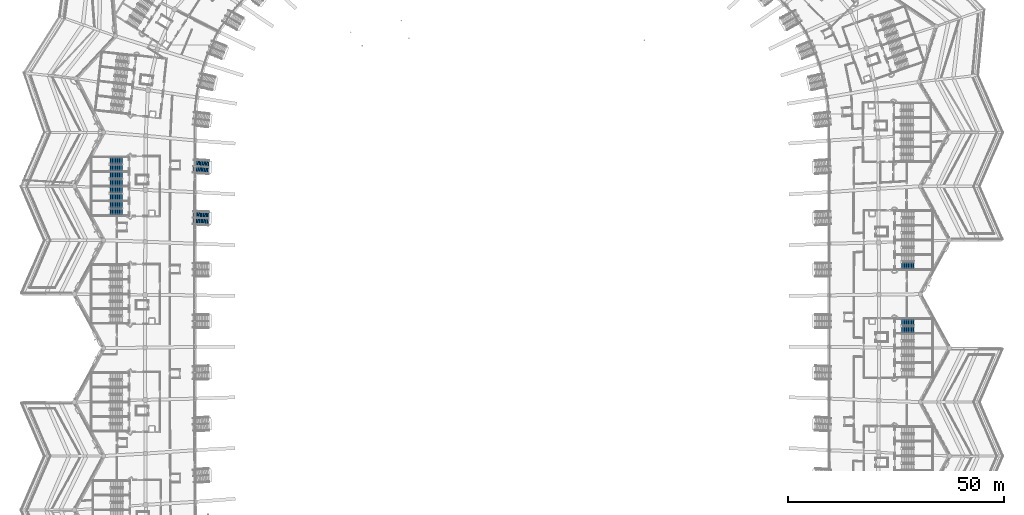
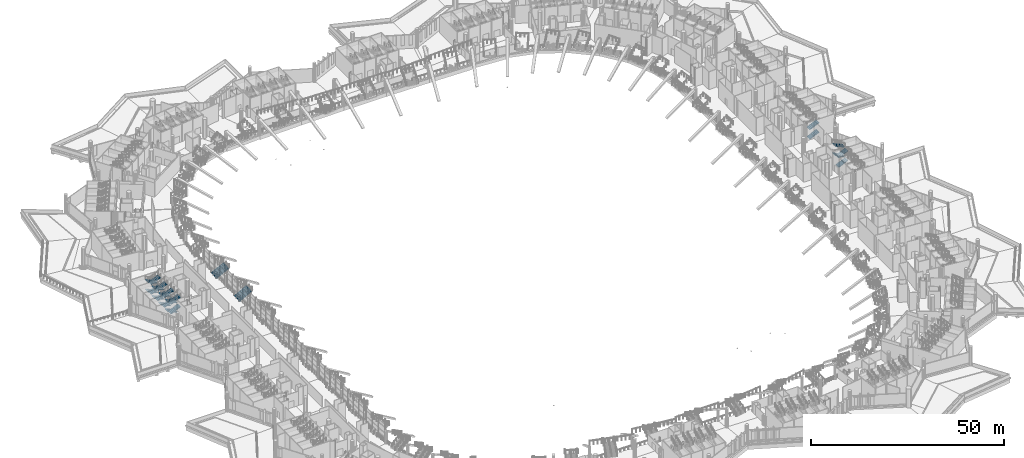
# One storey, part 92 of 173: 26 stair flights, 8 elements without a shape of their own.
"""IFC4 building model written with IfcOpenShell, lengths in metres."""

from ifc_helpers import new_model, si_unit, direction, frame, origin, place, context, subcontext, project, spatial, polyline, outline, extrude, material, type_object, element, aggregate, save


model = new_model("IFC4")

# Units and contexts
model_context = context("Model", 3, precision=1e-05, world=origin(), true_north=direction((0.0, 1.0)))
body_context = subcontext(model_context, "Body", "Model", "MODEL_VIEW")
ifc_project = project(units=[si_unit("LENGTHUNIT", "METRE"), si_unit("AREAUNIT", "SQUARE_METRE"), si_unit("VOLUMEUNIT", "CUBIC_METRE"), si_unit("PLANEANGLEUNIT", "RADIAN"), si_unit("MASSUNIT", "GRAM", prefix="KILO")], contexts=[model_context])

# Site, building, storey
site_placement = place(None, origin())
site = spatial("IfcSite", under=ifc_project, at=site_placement, CompositionType="ELEMENT")
building_placement = place(site_placement, origin())
building = spatial("IfcBuilding", under=site, at=building_placement, Name="Meseta Stadium", CompositionType="ELEMENT")
storey_placement = place(building_placement, frame((0.0, 0.0, 18.0)))
storey = spatial("IfcBuildingStorey", under=building, at=storey_placement, Name="L03", CompositionType="ELEMENT", Elevation=18.0)

# Stair, stair flights
ifc_material_1 = material(Name="Concrete C40/50", Category="concrete")
stair_type_1 = type_object("IfcStairType", Name="Exit stair 4 flights 150 mm risers", PredefinedType="HALF_TURN_STAIR", material=ifc_material_1)
stair_1_placement = place(storey_placement, origin())
stair_1 = element("IfcStair", 1, at=stair_1_placement, inside=storey, type_object=stair_type_1, Name="ST12 L03", PredefinedType="HALF_TURN_STAIR")
ifc_material_2 = material(Name="Concrete C40/50", Category="concrete")
stair_flight_type_1 = type_object("IfcStairFlightType", Name="Exit stair flight 150 mm risers, 4 per storey", PredefinedType="STRAIGHT", material=ifc_material_2)
stair_flight_1_placement = place(storey_placement, frame((90.300048828125, -2.0, 0.0), z_axis=(0.0, 0.0, 1.0), x_axis=(1.0, 0.0, 0.0)))
stair_flight_1 = element("IfcStairFlight", 2, at=stair_flight_1_placement, type_object=stair_flight_type_1, Name="ST12 L03 flight 1", NumberOfRisers=10, NumberOfTreads=9, PredefinedType="STRAIGHT", RiserHeight=0.15, TreadLength=0.32, context=body_context, shape_type="SweptSolid", body=[
    extrude(outline(polyline([(0.0, 0.0), (0.0, 0.14990234375), (0.320068359375, 0.14990234375), (0.320068359375, 0.300048828125), (0.639892578125, 0.300048828125), (0.639892578125, 0.449951171875), (0.9599609375, 0.449951171875), (0.9599609375, 0.60009765625), (1.280029296875, 0.60009765625), (1.280029296875, 0.75), (1.60009765625, 0.75), (1.60009765625, 0.89990234375), (1.919921875, 0.89990234375), (1.919921875, 1.050048828125), (2.239990234375, 1.050048828125), (2.239990234375, 1.199951171875), (2.56005859375, 1.199951171875), (2.56005859375, 1.35009765625), (2.8798828125, 1.35009765625), (2.8798828125, 1.184326171875), (0.353271484375, 0.0), (0.0, 0.0)])), frame((0.0, 0.75, 0.0), z_axis=(0.0, -1.0, 0.0), x_axis=(1.0, 0.0, 0.0)), (0.0, 0.0, 1.0), 1.5),
])
stair_flight_2_placement = place(storey_placement, frame((93.179931640625, -0.300048828125, 1.5), z_axis=(0.0, 0.0, 1.0), x_axis=(-1.0, 0.0, 0.0)))
stair_flight_2 = element("IfcStairFlight", 3, at=stair_flight_2_placement, type_object=stair_flight_type_1, Name="ST12 L03 flight 2", NumberOfRisers=10, NumberOfTreads=9, PredefinedType="STRAIGHT", RiserHeight=0.15, TreadLength=0.32, context=body_context, shape_type="SweptSolid", body=[
    extrude(outline(polyline([(0.0, 0.0), (0.0, 0.14990234375), (0.320068359375, 0.14990234375), (0.320068359375, 0.300048828125), (0.639892578125, 0.300048828125), (0.639892578125, 0.449951171875), (0.9599609375, 0.449951171875), (0.9599609375, 0.60009765625), (1.280029296875, 0.60009765625), (1.280029296875, 0.75), (1.60009765625, 0.75), (1.60009765625, 0.89990234375), (1.919921875, 0.89990234375), (1.919921875, 1.050048828125), (2.239990234375, 1.050048828125), (2.239990234375, 1.199951171875), (2.56005859375, 1.199951171875), (2.56005859375, 1.35009765625), (2.8798828125, 1.35009765625), (2.8798828125, 1.184326171875), (0.353271484375, 0.0), (0.0, 0.0)])), frame((0.0, 0.75, 0.0), z_axis=(0.0, -1.0, 0.0), x_axis=(1.0, 0.0, 0.0)), (0.0, 0.0, 1.0), 1.5),
])
stair_flight_3_placement = place(storey_placement, frame((90.300048828125, -2.0, 3.0), z_axis=(0.0, 0.0, 1.0), x_axis=(1.0, 0.0, 0.0)))
stair_flight_3 = element("IfcStairFlight", 4, at=stair_flight_3_placement, type_object=stair_flight_type_1, Name="ST12 L03 flight 3", NumberOfRisers=10, NumberOfTreads=9, PredefinedType="STRAIGHT", RiserHeight=0.15, TreadLength=0.32, context=body_context, shape_type="SweptSolid", body=[
    extrude(outline(polyline([(0.0, 0.0), (0.0, 0.14990234375), (0.320068359375, 0.14990234375), (0.320068359375, 0.300048828125), (0.639892578125, 0.300048828125), (0.639892578125, 0.449951171875), (0.9599609375, 0.449951171875), (0.9599609375, 0.60009765625), (1.280029296875, 0.60009765625), (1.280029296875, 0.75), (1.60009765625, 0.75), (1.60009765625, 0.89990234375), (1.919921875, 0.89990234375), (1.919921875, 1.050048828125), (2.239990234375, 1.050048828125), (2.239990234375, 1.199951171875), (2.56005859375, 1.199951171875), (2.56005859375, 1.35009765625), (2.8798828125, 1.35009765625), (2.8798828125, 1.184326171875), (0.353271484375, 0.0), (0.0, 0.0)])), frame((0.0, 0.75, 0.0), z_axis=(0.0, -1.0, 0.0), x_axis=(1.0, 0.0, 0.0)), (0.0, 0.0, 1.0), 1.5),
])
stair_flight_4_placement = place(storey_placement, frame((93.179931640625, -0.300048828125, 4.5), z_axis=(0.0, 0.0, 1.0), x_axis=(-1.0, 0.0, 0.0)))
stair_flight_4 = element("IfcStairFlight", 5, at=stair_flight_4_placement, type_object=stair_flight_type_1, Name="ST12 L03 flight 4", NumberOfRisers=10, NumberOfTreads=9, PredefinedType="STRAIGHT", RiserHeight=0.15, TreadLength=0.32, context=body_context, shape_type="SweptSolid", body=[
    extrude(outline(polyline([(0.0, 0.0), (0.0, 0.14990234375), (0.320068359375, 0.14990234375), (0.320068359375, 0.300048828125), (0.639892578125, 0.300048828125), (0.639892578125, 0.449951171875), (0.9599609375, 0.449951171875), (0.9599609375, 0.60009765625), (1.280029296875, 0.60009765625), (1.280029296875, 0.75), (1.60009765625, 0.75), (1.60009765625, 0.89990234375), (1.919921875, 0.89990234375), (1.919921875, 1.050048828125), (2.239990234375, 1.050048828125), (2.239990234375, 1.199951171875), (2.56005859375, 1.199951171875), (2.56005859375, 1.35009765625), (2.8798828125, 1.35009765625), (2.8798828125, 1.184326171875), (0.353271484375, 0.0), (0.0, 0.0)])), frame((0.0, 0.75, 0.0), z_axis=(0.0, -1.0, 0.0), x_axis=(1.0, 0.0, 0.0)), (0.0, 0.0, 1.0), 1.5),
])
aggregate(stair_1, [stair_flight_1, stair_flight_2, stair_flight_3, stair_flight_4])

stair_2_placement = place(storey_placement, origin())
stair_2 = element("IfcStair", 6, at=stair_2_placement, inside=storey, type_object=stair_type_1, Name="ST13 L03", PredefinedType="HALF_TURN_STAIR")
stair_flight_5_placement = place(storey_placement, frame((90.300048828125, 12.800048828125, 0.0), z_axis=(0.0, 0.0, 1.0), x_axis=(1.0, 0.0, 0.0)))
stair_flight_5 = element("IfcStairFlight", 7, at=stair_flight_5_placement, type_object=stair_flight_type_1, Name="ST13 L03 flight 1", NumberOfRisers=10, NumberOfTreads=9, PredefinedType="STRAIGHT", RiserHeight=0.15, TreadLength=0.32, context=body_context, shape_type="SweptSolid", body=[
    extrude(outline(polyline([(0.0, 0.0), (0.0, 0.14990234375), (0.320068359375, 0.14990234375), (0.320068359375, 0.300048828125), (0.639892578125, 0.300048828125), (0.639892578125, 0.449951171875), (0.9599609375, 0.449951171875), (0.9599609375, 0.60009765625), (1.280029296875, 0.60009765625), (1.280029296875, 0.75), (1.60009765625, 0.75), (1.60009765625, 0.89990234375), (1.919921875, 0.89990234375), (1.919921875, 1.050048828125), (2.239990234375, 1.050048828125), (2.239990234375, 1.199951171875), (2.56005859375, 1.199951171875), (2.56005859375, 1.35009765625), (2.8798828125, 1.35009765625), (2.8798828125, 1.184326171875), (0.353271484375, 0.0), (0.0, 0.0)])), frame((0.0, 0.75, 0.0), z_axis=(0.0, -1.0, 0.0), x_axis=(1.0, 0.0, 0.0)), (0.0, 0.0, 1.0), 1.5),
])
stair_flight_6_placement = place(storey_placement, frame((90.300048828125, 12.800048828125, 3.0), z_axis=(0.0, 0.0, 1.0), x_axis=(1.0, 0.0, 0.0)))
stair_flight_6 = element("IfcStairFlight", 8, at=stair_flight_6_placement, type_object=stair_flight_type_1, Name="ST13 L03 flight 3", NumberOfRisers=10, NumberOfTreads=9, PredefinedType="STRAIGHT", RiserHeight=0.15, TreadLength=0.32, context=body_context, shape_type="SweptSolid", body=[
    extrude(outline(polyline([(0.0, 0.0), (0.0, 0.14990234375), (0.320068359375, 0.14990234375), (0.320068359375, 0.300048828125), (0.639892578125, 0.300048828125), (0.639892578125, 0.449951171875), (0.9599609375, 0.449951171875), (0.9599609375, 0.60009765625), (1.280029296875, 0.60009765625), (1.280029296875, 0.75), (1.60009765625, 0.75), (1.60009765625, 0.89990234375), (1.919921875, 0.89990234375), (1.919921875, 1.050048828125), (2.239990234375, 1.050048828125), (2.239990234375, 1.199951171875), (2.56005859375, 1.199951171875), (2.56005859375, 1.35009765625), (2.8798828125, 1.35009765625), (2.8798828125, 1.184326171875), (0.353271484375, 0.0), (0.0, 0.0)])), frame((0.0, 0.75, 0.0), z_axis=(0.0, -1.0, 0.0), x_axis=(1.0, 0.0, 0.0)), (0.0, 0.0, 1.0), 1.5),
])
aggregate(stair_2, [stair_flight_5, stair_flight_6])

stair_3_placement = place(storey_placement, origin())
stair_3 = element("IfcStair", 9, at=stair_3_placement, inside=storey, type_object=stair_type_1, Name="ST61 L03", PredefinedType="HALF_TURN_STAIR")
stair_flight_7_placement = place(storey_placement, frame((-90.300048828125, 37.199951171875, 0.0), z_axis=(0.0, 0.0, 1.0), x_axis=(-1.0, 0.0, 0.0)))
stair_flight_7 = element("IfcStairFlight", 10, at=stair_flight_7_placement, type_object=stair_flight_type_1, Name="ST61 L03 flight 1", NumberOfRisers=10, NumberOfTreads=9, PredefinedType="STRAIGHT", RiserHeight=0.15, TreadLength=0.32, context=body_context, shape_type="SweptSolid", body=[
    extrude(outline(polyline([(0.0, 0.0), (0.0, 0.14990234375), (0.320068359375, 0.14990234375), (0.320068359375, 0.300048828125), (0.639892578125, 0.300048828125), (0.639892578125, 0.449951171875), (0.9599609375, 0.449951171875), (0.9599609375, 0.60009765625), (1.280029296875, 0.60009765625), (1.280029296875, 0.75), (1.60009765625, 0.75), (1.60009765625, 0.89990234375), (1.919921875, 0.89990234375), (1.919921875, 1.050048828125), (2.239990234375, 1.050048828125), (2.239990234375, 1.199951171875), (2.56005859375, 1.199951171875), (2.56005859375, 1.35009765625), (2.8798828125, 1.35009765625), (2.8798828125, 1.184326171875), (0.353271484375, 0.0), (0.0, 0.0)])), frame((0.0, 0.75, 0.0), z_axis=(0.0, -1.0, 0.0), x_axis=(1.0, 0.0, 0.0)), (0.0, 0.0, 1.0), 1.5),
])
stair_flight_8_placement = place(storey_placement, frame((-93.179931640625, 35.5, 1.5), z_axis=(0.0, 0.0, 1.0), x_axis=(1.0, 0.0, 0.0)))
stair_flight_8 = element("IfcStairFlight", 11, at=stair_flight_8_placement, type_object=stair_flight_type_1, Name="ST61 L03 flight 2", NumberOfRisers=10, NumberOfTreads=9, PredefinedType="STRAIGHT", RiserHeight=0.15, TreadLength=0.32, context=body_context, shape_type="SweptSolid", body=[
    extrude(outline(polyline([(0.0, 0.0), (0.0, 0.14990234375), (0.320068359375, 0.14990234375), (0.320068359375, 0.300048828125), (0.639892578125, 0.300048828125), (0.639892578125, 0.449951171875), (0.9599609375, 0.449951171875), (0.9599609375, 0.60009765625), (1.280029296875, 0.60009765625), (1.280029296875, 0.75), (1.60009765625, 0.75), (1.60009765625, 0.89990234375), (1.919921875, 0.89990234375), (1.919921875, 1.050048828125), (2.239990234375, 1.050048828125), (2.239990234375, 1.199951171875), (2.56005859375, 1.199951171875), (2.56005859375, 1.35009765625), (2.8798828125, 1.35009765625), (2.8798828125, 1.184326171875), (0.353271484375, 0.0), (0.0, 0.0)])), frame((0.0, 0.75, 0.0), z_axis=(0.0, -1.0, 0.0), x_axis=(1.0, 0.0, 0.0)), (0.0, 0.0, 1.0), 1.5),
])
stair_flight_9_placement = place(storey_placement, frame((-90.300048828125, 37.199951171875, 3.0), z_axis=(0.0, 0.0, 1.0), x_axis=(-1.0, 0.0, 0.0)))
stair_flight_9 = element("IfcStairFlight", 12, at=stair_flight_9_placement, type_object=stair_flight_type_1, Name="ST61 L03 flight 3", NumberOfRisers=10, NumberOfTreads=9, PredefinedType="STRAIGHT", RiserHeight=0.15, TreadLength=0.32, context=body_context, shape_type="SweptSolid", body=[
    extrude(outline(polyline([(0.0, 0.0), (0.0, 0.14990234375), (0.320068359375, 0.14990234375), (0.320068359375, 0.300048828125), (0.639892578125, 0.300048828125), (0.639892578125, 0.449951171875), (0.9599609375, 0.449951171875), (0.9599609375, 0.60009765625), (1.280029296875, 0.60009765625), (1.280029296875, 0.75), (1.60009765625, 0.75), (1.60009765625, 0.89990234375), (1.919921875, 0.89990234375), (1.919921875, 1.050048828125), (2.239990234375, 1.050048828125), (2.239990234375, 1.199951171875), (2.56005859375, 1.199951171875), (2.56005859375, 1.35009765625), (2.8798828125, 1.35009765625), (2.8798828125, 1.184326171875), (0.353271484375, 0.0), (0.0, 0.0)])), frame((0.0, 0.75, 0.0), z_axis=(0.0, -1.0, 0.0), x_axis=(1.0, 0.0, 0.0)), (0.0, 0.0, 1.0), 1.5),
])
stair_flight_10_placement = place(storey_placement, frame((-93.179931640625, 35.5, 4.5), z_axis=(0.0, 0.0, 1.0), x_axis=(1.0, 0.0, 0.0)))
stair_flight_10 = element("IfcStairFlight", 13, at=stair_flight_10_placement, type_object=stair_flight_type_1, Name="ST61 L03 flight 4", NumberOfRisers=10, NumberOfTreads=9, PredefinedType="STRAIGHT", RiserHeight=0.15, TreadLength=0.32, context=body_context, shape_type="SweptSolid", body=[
    extrude(outline(polyline([(0.0, 0.0), (0.0, 0.14990234375), (0.320068359375, 0.14990234375), (0.320068359375, 0.300048828125), (0.639892578125, 0.300048828125), (0.639892578125, 0.449951171875), (0.9599609375, 0.449951171875), (0.9599609375, 0.60009765625), (1.280029296875, 0.60009765625), (1.280029296875, 0.75), (1.60009765625, 0.75), (1.60009765625, 0.89990234375), (1.919921875, 0.89990234375), (1.919921875, 1.050048828125), (2.239990234375, 1.050048828125), (2.239990234375, 1.199951171875), (2.56005859375, 1.199951171875), (2.56005859375, 1.35009765625), (2.8798828125, 1.35009765625), (2.8798828125, 1.184326171875), (0.353271484375, 0.0), (0.0, 0.0)])), frame((0.0, 0.75, 0.0), z_axis=(0.0, -1.0, 0.0), x_axis=(1.0, 0.0, 0.0)), (0.0, 0.0, 1.0), 1.5),
])
aggregate(stair_3, [stair_flight_7, stair_flight_8, stair_flight_9, stair_flight_10])

stair_4_placement = place(storey_placement, origin())
stair_4 = element("IfcStair", 14, at=stair_4_placement, inside=storey, type_object=stair_type_1, Name="ST62 L03", PredefinedType="HALF_TURN_STAIR")
stair_flight_11_placement = place(storey_placement, frame((-90.300048828125, 33.800048828125, 0.0), z_axis=(0.0, 0.0, 1.0), x_axis=(-1.0, 0.0, 0.0)))
stair_flight_11 = element("IfcStairFlight", 15, at=stair_flight_11_placement, type_object=stair_flight_type_1, Name="ST62 L03 flight 1", NumberOfRisers=10, NumberOfTreads=9, PredefinedType="STRAIGHT", RiserHeight=0.15, TreadLength=0.32, context=body_context, shape_type="SweptSolid", body=[
    extrude(outline(polyline([(0.0, 0.0), (0.0, 0.14990234375), (0.320068359375, 0.14990234375), (0.320068359375, 0.300048828125), (0.639892578125, 0.300048828125), (0.639892578125, 0.449951171875), (0.9599609375, 0.449951171875), (0.9599609375, 0.60009765625), (1.280029296875, 0.60009765625), (1.280029296875, 0.75), (1.60009765625, 0.75), (1.60009765625, 0.89990234375), (1.919921875, 0.89990234375), (1.919921875, 1.050048828125), (2.239990234375, 1.050048828125), (2.239990234375, 1.199951171875), (2.56005859375, 1.199951171875), (2.56005859375, 1.35009765625), (2.8798828125, 1.35009765625), (2.8798828125, 1.184326171875), (0.353271484375, 0.0), (0.0, 0.0)])), frame((0.0, 0.75, 0.0), z_axis=(0.0, -1.0, 0.0), x_axis=(1.0, 0.0, 0.0)), (0.0, 0.0, 1.0), 1.5),
])
stair_flight_12_placement = place(storey_placement, frame((-93.179931640625, 32.10009765625, 1.5), z_axis=(0.0, 0.0, 1.0), x_axis=(1.0, 0.0, 0.0)))
stair_flight_12 = element("IfcStairFlight", 16, at=stair_flight_12_placement, type_object=stair_flight_type_1, Name="ST62 L03 flight 2", NumberOfRisers=10, NumberOfTreads=9, PredefinedType="STRAIGHT", RiserHeight=0.15, TreadLength=0.32, context=body_context, shape_type="SweptSolid", body=[
    extrude(outline(polyline([(0.0, 0.0), (0.0, 0.14990234375), (0.320068359375, 0.14990234375), (0.320068359375, 0.300048828125), (0.639892578125, 0.300048828125), (0.639892578125, 0.449951171875), (0.9599609375, 0.449951171875), (0.9599609375, 0.60009765625), (1.280029296875, 0.60009765625), (1.280029296875, 0.75), (1.60009765625, 0.75), (1.60009765625, 0.89990234375), (1.919921875, 0.89990234375), (1.919921875, 1.050048828125), (2.239990234375, 1.050048828125), (2.239990234375, 1.199951171875), (2.56005859375, 1.199951171875), (2.56005859375, 1.35009765625), (2.8798828125, 1.35009765625), (2.8798828125, 1.184326171875), (0.353271484375, 0.0), (0.0, 0.0)])), frame((0.0, 0.75, 0.0), z_axis=(0.0, -1.0, 0.0), x_axis=(1.0, 0.0, 0.0)), (0.0, 0.0, 1.0), 1.5),
])
stair_flight_13_placement = place(storey_placement, frame((-90.300048828125, 33.800048828125, 3.0), z_axis=(0.0, 0.0, 1.0), x_axis=(-1.0, 0.0, 0.0)))
stair_flight_13 = element("IfcStairFlight", 17, at=stair_flight_13_placement, type_object=stair_flight_type_1, Name="ST62 L03 flight 3", NumberOfRisers=10, NumberOfTreads=9, PredefinedType="STRAIGHT", RiserHeight=0.15, TreadLength=0.32, context=body_context, shape_type="SweptSolid", body=[
    extrude(outline(polyline([(0.0, 0.0), (0.0, 0.14990234375), (0.320068359375, 0.14990234375), (0.320068359375, 0.300048828125), (0.639892578125, 0.300048828125), (0.639892578125, 0.449951171875), (0.9599609375, 0.449951171875), (0.9599609375, 0.60009765625), (1.280029296875, 0.60009765625), (1.280029296875, 0.75), (1.60009765625, 0.75), (1.60009765625, 0.89990234375), (1.919921875, 0.89990234375), (1.919921875, 1.050048828125), (2.239990234375, 1.050048828125), (2.239990234375, 1.199951171875), (2.56005859375, 1.199951171875), (2.56005859375, 1.35009765625), (2.8798828125, 1.35009765625), (2.8798828125, 1.184326171875), (0.353271484375, 0.0), (0.0, 0.0)])), frame((0.0, 0.75, 0.0), z_axis=(0.0, -1.0, 0.0), x_axis=(1.0, 0.0, 0.0)), (0.0, 0.0, 1.0), 1.5),
])
stair_flight_14_placement = place(storey_placement, frame((-93.179931640625, 32.10009765625, 4.5), z_axis=(0.0, 0.0, 1.0), x_axis=(1.0, 0.0, 0.0)))
stair_flight_14 = element("IfcStairFlight", 18, at=stair_flight_14_placement, type_object=stair_flight_type_1, Name="ST62 L03 flight 4", NumberOfRisers=10, NumberOfTreads=9, PredefinedType="STRAIGHT", RiserHeight=0.15, TreadLength=0.32, context=body_context, shape_type="SweptSolid", body=[
    extrude(outline(polyline([(0.0, 0.0), (0.0, 0.14990234375), (0.320068359375, 0.14990234375), (0.320068359375, 0.300048828125), (0.639892578125, 0.300048828125), (0.639892578125, 0.449951171875), (0.9599609375, 0.449951171875), (0.9599609375, 0.60009765625), (1.280029296875, 0.60009765625), (1.280029296875, 0.75), (1.60009765625, 0.75), (1.60009765625, 0.89990234375), (1.919921875, 0.89990234375), (1.919921875, 1.050048828125), (2.239990234375, 1.050048828125), (2.239990234375, 1.199951171875), (2.56005859375, 1.199951171875), (2.56005859375, 1.35009765625), (2.8798828125, 1.35009765625), (2.8798828125, 1.184326171875), (0.353271484375, 0.0), (0.0, 0.0)])), frame((0.0, 0.75, 0.0), z_axis=(0.0, -1.0, 0.0), x_axis=(1.0, 0.0, 0.0)), (0.0, 0.0, 1.0), 1.5),
])
aggregate(stair_4, [stair_flight_11, stair_flight_12, stair_flight_13, stair_flight_14])

stair_5_placement = place(storey_placement, origin())
stair_5 = element("IfcStair", 19, at=stair_5_placement, inside=storey, type_object=stair_type_1, Name="ST63 L03", PredefinedType="HALF_TURN_STAIR")
stair_flight_15_placement = place(storey_placement, frame((-90.300048828125, 30.39990234375, 0.0), z_axis=(0.0, 0.0, 1.0), x_axis=(-1.0, 0.0, 0.0)))
stair_flight_15 = element("IfcStairFlight", 20, at=stair_flight_15_placement, type_object=stair_flight_type_1, Name="ST63 L03 flight 1", NumberOfRisers=10, NumberOfTreads=9, PredefinedType="STRAIGHT", RiserHeight=0.15, TreadLength=0.32, context=body_context, shape_type="SweptSolid", body=[
    extrude(outline(polyline([(0.0, 0.0), (0.0, 0.14990234375), (0.320068359375, 0.14990234375), (0.320068359375, 0.300048828125), (0.639892578125, 0.300048828125), (0.639892578125, 0.449951171875), (0.9599609375, 0.449951171875), (0.9599609375, 0.60009765625), (1.280029296875, 0.60009765625), (1.280029296875, 0.75), (1.60009765625, 0.75), (1.60009765625, 0.89990234375), (1.919921875, 0.89990234375), (1.919921875, 1.050048828125), (2.239990234375, 1.050048828125), (2.239990234375, 1.199951171875), (2.56005859375, 1.199951171875), (2.56005859375, 1.35009765625), (2.8798828125, 1.35009765625), (2.8798828125, 1.184326171875), (0.353271484375, 0.0), (0.0, 0.0)])), frame((0.0, 0.75, 0.0), z_axis=(0.0, -1.0, 0.0), x_axis=(1.0, 0.0, 0.0)), (0.0, 0.0, 1.0), 1.5),
])
stair_flight_16_placement = place(storey_placement, frame((-93.179931640625, 28.699951171875, 1.5), z_axis=(0.0, 0.0, 1.0), x_axis=(1.0, 0.0, 0.0)))
stair_flight_16 = element("IfcStairFlight", 21, at=stair_flight_16_placement, type_object=stair_flight_type_1, Name="ST63 L03 flight 2", NumberOfRisers=10, NumberOfTreads=9, PredefinedType="STRAIGHT", RiserHeight=0.15, TreadLength=0.32, context=body_context, shape_type="SweptSolid", body=[
    extrude(outline(polyline([(0.0, 0.0), (0.0, 0.14990234375), (0.320068359375, 0.14990234375), (0.320068359375, 0.300048828125), (0.639892578125, 0.300048828125), (0.639892578125, 0.449951171875), (0.9599609375, 0.449951171875), (0.9599609375, 0.60009765625), (1.280029296875, 0.60009765625), (1.280029296875, 0.75), (1.60009765625, 0.75), (1.60009765625, 0.89990234375), (1.919921875, 0.89990234375), (1.919921875, 1.050048828125), (2.239990234375, 1.050048828125), (2.239990234375, 1.199951171875), (2.56005859375, 1.199951171875), (2.56005859375, 1.35009765625), (2.8798828125, 1.35009765625), (2.8798828125, 1.184326171875), (0.353271484375, 0.0), (0.0, 0.0)])), frame((0.0, 0.75, 0.0), z_axis=(0.0, -1.0, 0.0), x_axis=(1.0, 0.0, 0.0)), (0.0, 0.0, 1.0), 1.5),
])
stair_flight_17_placement = place(storey_placement, frame((-90.300048828125, 30.39990234375, 3.0), z_axis=(0.0, 0.0, 1.0), x_axis=(-1.0, 0.0, 0.0)))
stair_flight_17 = element("IfcStairFlight", 22, at=stair_flight_17_placement, type_object=stair_flight_type_1, Name="ST63 L03 flight 3", NumberOfRisers=10, NumberOfTreads=9, PredefinedType="STRAIGHT", RiserHeight=0.15, TreadLength=0.32, context=body_context, shape_type="SweptSolid", body=[
    extrude(outline(polyline([(0.0, 0.0), (0.0, 0.14990234375), (0.320068359375, 0.14990234375), (0.320068359375, 0.300048828125), (0.639892578125, 0.300048828125), (0.639892578125, 0.449951171875), (0.9599609375, 0.449951171875), (0.9599609375, 0.60009765625), (1.280029296875, 0.60009765625), (1.280029296875, 0.75), (1.60009765625, 0.75), (1.60009765625, 0.89990234375), (1.919921875, 0.89990234375), (1.919921875, 1.050048828125), (2.239990234375, 1.050048828125), (2.239990234375, 1.199951171875), (2.56005859375, 1.199951171875), (2.56005859375, 1.35009765625), (2.8798828125, 1.35009765625), (2.8798828125, 1.184326171875), (0.353271484375, 0.0), (0.0, 0.0)])), frame((0.0, 0.75, 0.0), z_axis=(0.0, -1.0, 0.0), x_axis=(1.0, 0.0, 0.0)), (0.0, 0.0, 1.0), 1.5),
])
stair_flight_18_placement = place(storey_placement, frame((-93.179931640625, 28.699951171875, 4.5), z_axis=(0.0, 0.0, 1.0), x_axis=(1.0, 0.0, 0.0)))
stair_flight_18 = element("IfcStairFlight", 23, at=stair_flight_18_placement, type_object=stair_flight_type_1, Name="ST63 L03 flight 4", NumberOfRisers=10, NumberOfTreads=9, PredefinedType="STRAIGHT", RiserHeight=0.15, TreadLength=0.32, context=body_context, shape_type="SweptSolid", body=[
    extrude(outline(polyline([(0.0, 0.0), (0.0, 0.14990234375), (0.320068359375, 0.14990234375), (0.320068359375, 0.300048828125), (0.639892578125, 0.300048828125), (0.639892578125, 0.449951171875), (0.9599609375, 0.449951171875), (0.9599609375, 0.60009765625), (1.280029296875, 0.60009765625), (1.280029296875, 0.75), (1.60009765625, 0.75), (1.60009765625, 0.89990234375), (1.919921875, 0.89990234375), (1.919921875, 1.050048828125), (2.239990234375, 1.050048828125), (2.239990234375, 1.199951171875), (2.56005859375, 1.199951171875), (2.56005859375, 1.35009765625), (2.8798828125, 1.35009765625), (2.8798828125, 1.184326171875), (0.353271484375, 0.0), (0.0, 0.0)])), frame((0.0, 0.75, 0.0), z_axis=(0.0, -1.0, 0.0), x_axis=(1.0, 0.0, 0.0)), (0.0, 0.0, 1.0), 1.5),
])
aggregate(stair_5, [stair_flight_15, stair_flight_16, stair_flight_17, stair_flight_18])

stair_6_placement = place(storey_placement, origin())
stair_6 = element("IfcStair", 24, at=stair_6_placement, inside=storey, type_object=stair_type_1, Name="ST64 L03", PredefinedType="HALF_TURN_STAIR")
stair_flight_19_placement = place(storey_placement, frame((-90.300048828125, 27.0, 0.0), z_axis=(0.0, 0.0, 1.0), x_axis=(-1.0, 0.0, 0.0)))
stair_flight_19 = element("IfcStairFlight", 25, at=stair_flight_19_placement, type_object=stair_flight_type_1, Name="ST64 L03 flight 1", NumberOfRisers=10, NumberOfTreads=9, PredefinedType="STRAIGHT", RiserHeight=0.15, TreadLength=0.32, context=body_context, shape_type="SweptSolid", body=[
    extrude(outline(polyline([(0.0, 0.0), (0.0, 0.14990234375), (0.320068359375, 0.14990234375), (0.320068359375, 0.300048828125), (0.639892578125, 0.300048828125), (0.639892578125, 0.449951171875), (0.9599609375, 0.449951171875), (0.9599609375, 0.60009765625), (1.280029296875, 0.60009765625), (1.280029296875, 0.75), (1.60009765625, 0.75), (1.60009765625, 0.89990234375), (1.919921875, 0.89990234375), (1.919921875, 1.050048828125), (2.239990234375, 1.050048828125), (2.239990234375, 1.199951171875), (2.56005859375, 1.199951171875), (2.56005859375, 1.35009765625), (2.8798828125, 1.35009765625), (2.8798828125, 1.184326171875), (0.353271484375, 0.0), (0.0, 0.0)])), frame((0.0, 0.75, 0.0), z_axis=(0.0, -1.0, 0.0), x_axis=(1.0, 0.0, 0.0)), (0.0, 0.0, 1.0), 1.5),
])
stair_flight_20_placement = place(storey_placement, frame((-93.179931640625, 25.300048828125, 1.5), z_axis=(0.0, 0.0, 1.0), x_axis=(1.0, 0.0, 0.0)))
stair_flight_20 = element("IfcStairFlight", 26, at=stair_flight_20_placement, type_object=stair_flight_type_1, Name="ST64 L03 flight 2", NumberOfRisers=10, NumberOfTreads=9, PredefinedType="STRAIGHT", RiserHeight=0.15, TreadLength=0.32, context=body_context, shape_type="SweptSolid", body=[
    extrude(outline(polyline([(0.0, 0.0), (0.0, 0.14990234375), (0.320068359375, 0.14990234375), (0.320068359375, 0.300048828125), (0.639892578125, 0.300048828125), (0.639892578125, 0.449951171875), (0.9599609375, 0.449951171875), (0.9599609375, 0.60009765625), (1.280029296875, 0.60009765625), (1.280029296875, 0.75), (1.60009765625, 0.75), (1.60009765625, 0.89990234375), (1.919921875, 0.89990234375), (1.919921875, 1.050048828125), (2.239990234375, 1.050048828125), (2.239990234375, 1.199951171875), (2.56005859375, 1.199951171875), (2.56005859375, 1.35009765625), (2.8798828125, 1.35009765625), (2.8798828125, 1.184326171875), (0.353271484375, 0.0), (0.0, 0.0)])), frame((0.0, 0.75, 0.0), z_axis=(0.0, -1.0, 0.0), x_axis=(1.0, 0.0, 0.0)), (0.0, 0.0, 1.0), 1.5),
])
stair_flight_21_placement = place(storey_placement, frame((-90.300048828125, 27.0, 3.0), z_axis=(0.0, 0.0, 1.0), x_axis=(-1.0, 0.0, 0.0)))
stair_flight_21 = element("IfcStairFlight", 27, at=stair_flight_21_placement, type_object=stair_flight_type_1, Name="ST64 L03 flight 3", NumberOfRisers=10, NumberOfTreads=9, PredefinedType="STRAIGHT", RiserHeight=0.15, TreadLength=0.32, context=body_context, shape_type="SweptSolid", body=[
    extrude(outline(polyline([(0.0, 0.0), (0.0, 0.14990234375), (0.320068359375, 0.14990234375), (0.320068359375, 0.300048828125), (0.639892578125, 0.300048828125), (0.639892578125, 0.449951171875), (0.9599609375, 0.449951171875), (0.9599609375, 0.60009765625), (1.280029296875, 0.60009765625), (1.280029296875, 0.75), (1.60009765625, 0.75), (1.60009765625, 0.89990234375), (1.919921875, 0.89990234375), (1.919921875, 1.050048828125), (2.239990234375, 1.050048828125), (2.239990234375, 1.199951171875), (2.56005859375, 1.199951171875), (2.56005859375, 1.35009765625), (2.8798828125, 1.35009765625), (2.8798828125, 1.184326171875), (0.353271484375, 0.0), (0.0, 0.0)])), frame((0.0, 0.75, 0.0), z_axis=(0.0, -1.0, 0.0), x_axis=(1.0, 0.0, 0.0)), (0.0, 0.0, 1.0), 1.5),
])
stair_flight_22_placement = place(storey_placement, frame((-93.179931640625, 25.300048828125, 4.5), z_axis=(0.0, 0.0, 1.0), x_axis=(1.0, 0.0, 0.0)))
stair_flight_22 = element("IfcStairFlight", 28, at=stair_flight_22_placement, type_object=stair_flight_type_1, Name="ST64 L03 flight 4", NumberOfRisers=10, NumberOfTreads=9, PredefinedType="STRAIGHT", RiserHeight=0.15, TreadLength=0.32, context=body_context, shape_type="SweptSolid", body=[
    extrude(outline(polyline([(0.0, 0.0), (0.0, 0.14990234375), (0.320068359375, 0.14990234375), (0.320068359375, 0.300048828125), (0.639892578125, 0.300048828125), (0.639892578125, 0.449951171875), (0.9599609375, 0.449951171875), (0.9599609375, 0.60009765625), (1.280029296875, 0.60009765625), (1.280029296875, 0.75), (1.60009765625, 0.75), (1.60009765625, 0.89990234375), (1.919921875, 0.89990234375), (1.919921875, 1.050048828125), (2.239990234375, 1.050048828125), (2.239990234375, 1.199951171875), (2.56005859375, 1.199951171875), (2.56005859375, 1.35009765625), (2.8798828125, 1.35009765625), (2.8798828125, 1.184326171875), (0.353271484375, 0.0), (0.0, 0.0)])), frame((0.0, 0.75, 0.0), z_axis=(0.0, -1.0, 0.0), x_axis=(1.0, 0.0, 0.0)), (0.0, 0.0, 1.0), 1.5),
])
aggregate(stair_6, [stair_flight_19, stair_flight_20, stair_flight_21, stair_flight_22])

ifc_material_3 = material(Name="Concrete C40/50", Category="concrete")
stair_type_2 = type_object("IfcStairType", Name="Vomitory stair 3000", PredefinedType="STRAIGHT_RUN_STAIR", material=ifc_material_3)
stair_7_placement = place(storey_placement, origin())
stair_7 = element("IfcStair", 29, at=stair_7_placement, inside=storey, type_object=stair_type_2, Name="Vomitory V-upper-30", PredefinedType="STRAIGHT_RUN_STAIR")
ifc_material_4 = material(Name="Concrete C40/50", Category="concrete")
stair_flight_type_2 = type_object("IfcStairFlightType", Name="Vomitory stair flight 1450", PredefinedType="STRAIGHT", material=ifc_material_4)
stair_flight_23_placement = place(storey_placement, frame((-73.81640625, 36.685302734375, 0.0), z_axis=(0.0, 0.0, 1.0), x_axis=(0.997842912451, -0.065646950207, 0.0)))
stair_flight_23 = element("IfcStairFlight", 30, at=stair_flight_23_placement, type_object=stair_flight_type_2, Name="Vomitory V-upper-30 flight 1", NumberOfRisers=14, NumberOfTreads=13, PredefinedType="STRAIGHT", RiserHeight=0.165139, TreadLength=0.28, context=body_context, shape_type="SweptSolid", body=[
    extrude(outline(polyline([(0.0, 0.0), (0.0, 0.1650390625), (0.280029296875, 0.1650390625), (0.280029296875, 0.330322265625), (0.56005859375, 0.330322265625), (0.56005859375, 0.495361328125), (0.840087890625, 0.495361328125), (0.840087890625, 0.66064453125), (1.1201171875, 0.66064453125), (1.1201171875, 0.82568359375), (1.39990234375, 0.82568359375), (1.39990234375, 0.99072265625), (1.679931640625, 0.99072265625), (1.679931640625, 1.156005859375), (1.9599609375, 1.156005859375), (1.9599609375, 1.321044921875), (2.239990234375, 1.321044921875), (2.239990234375, 1.486328125), (2.52001953125, 1.486328125), (2.52001953125, 1.6513671875), (2.800048828125, 1.6513671875), (2.800048828125, 1.816650390625), (3.080078125, 1.816650390625), (3.080078125, 1.981689453125), (3.360107421875, 1.981689453125), (3.360107421875, 2.146728515625), (3.639892578125, 2.146728515625), (3.639892578125, 1.97265625), (0.295166015625, 0.0), (0.0, 0.0)])), frame((0.0, 0.72509765625, 0.0), z_axis=(0.0, -1.0, 0.0), x_axis=(1.0, 0.0, 0.0)), (0.0, 0.0, 1.0), 1.449951171875),
])
stair_flight_24_placement = place(storey_placement, frame((-73.918212890625, 35.138916015625, 0.0), z_axis=(0.0, 0.0, 1.0), x_axis=(0.997842912451, -0.065646950207, 0.0)))
stair_flight_24 = element("IfcStairFlight", 31, at=stair_flight_24_placement, type_object=stair_flight_type_2, Name="Vomitory V-upper-30 flight 2", NumberOfRisers=14, NumberOfTreads=13, PredefinedType="STRAIGHT", RiserHeight=0.165139, TreadLength=0.28, context=body_context, shape_type="SweptSolid", body=[
    extrude(outline(polyline([(0.0, 0.0), (0.0, 0.1650390625), (0.280029296875, 0.1650390625), (0.280029296875, 0.330322265625), (0.56005859375, 0.330322265625), (0.56005859375, 0.495361328125), (0.840087890625, 0.495361328125), (0.840087890625, 0.66064453125), (1.1201171875, 0.66064453125), (1.1201171875, 0.82568359375), (1.39990234375, 0.82568359375), (1.39990234375, 0.99072265625), (1.679931640625, 0.99072265625), (1.679931640625, 1.156005859375), (1.9599609375, 1.156005859375), (1.9599609375, 1.321044921875), (2.239990234375, 1.321044921875), (2.239990234375, 1.486328125), (2.52001953125, 1.486328125), (2.52001953125, 1.6513671875), (2.800048828125, 1.6513671875), (2.800048828125, 1.816650390625), (3.080078125, 1.816650390625), (3.080078125, 1.981689453125), (3.360107421875, 1.981689453125), (3.360107421875, 2.146728515625), (3.639892578125, 2.146728515625), (3.639892578125, 1.97265625), (0.295166015625, 0.0), (0.0, 0.0)])), frame((0.0, 0.72509765625, 0.0), z_axis=(0.0, -1.0, 0.0), x_axis=(1.0, 0.0, 0.0)), (0.0, 0.0, 1.0), 1.449951171875),
])
aggregate(stair_7, [stair_flight_23, stair_flight_24])

stair_8_placement = place(storey_placement, origin())
stair_8 = element("IfcStair", 32, at=stair_8_placement, inside=storey, type_object=stair_type_2, Name="Vomitory V-upper-31", PredefinedType="STRAIGHT_RUN_STAIR")
stair_flight_25_placement = place(storey_placement, frame((-73.872802734375, 24.71728515625, 0.0), z_axis=(0.0, 0.0, 1.0), x_axis=(0.999039522965, -0.043818164662, 0.0)))
stair_flight_25 = element("IfcStairFlight", 33, at=stair_flight_25_placement, type_object=stair_flight_type_2, Name="Vomitory V-upper-31 flight 1", NumberOfRisers=14, NumberOfTreads=13, PredefinedType="STRAIGHT", RiserHeight=0.165139, TreadLength=0.28, context=body_context, shape_type="SweptSolid", body=[
    extrude(outline(polyline([(0.0, 0.0), (0.0, 0.1650390625), (0.280029296875, 0.1650390625), (0.280029296875, 0.330322265625), (0.56005859375, 0.330322265625), (0.56005859375, 0.495361328125), (0.840087890625, 0.495361328125), (0.840087890625, 0.66064453125), (1.1201171875, 0.66064453125), (1.1201171875, 0.82568359375), (1.39990234375, 0.82568359375), (1.39990234375, 0.99072265625), (1.679931640625, 0.99072265625), (1.679931640625, 1.156005859375), (1.9599609375, 1.156005859375), (1.9599609375, 1.321044921875), (2.239990234375, 1.321044921875), (2.239990234375, 1.486328125), (2.52001953125, 1.486328125), (2.52001953125, 1.6513671875), (2.800048828125, 1.6513671875), (2.800048828125, 1.816650390625), (3.080078125, 1.816650390625), (3.080078125, 1.981689453125), (3.360107421875, 1.981689453125), (3.360107421875, 2.146728515625), (3.639892578125, 2.146728515625), (3.639892578125, 1.97265625), (0.295166015625, 0.0), (0.0, 0.0)])), frame((0.0, 0.72509765625, 0.0), z_axis=(0.0, -1.0, 0.0), x_axis=(1.0, 0.0, 0.0)), (0.0, 0.0, 1.0), 1.449951171875),
])
stair_flight_26_placement = place(storey_placement, frame((-73.940673828125, 23.1689453125, 0.0), z_axis=(0.0, 0.0, 1.0), x_axis=(0.999039522965, -0.043818164662, 0.0)))
stair_flight_26 = element("IfcStairFlight", 34, at=stair_flight_26_placement, type_object=stair_flight_type_2, Name="Vomitory V-upper-31 flight 2", NumberOfRisers=14, NumberOfTreads=13, PredefinedType="STRAIGHT", RiserHeight=0.165139, TreadLength=0.28, context=body_context, shape_type="SweptSolid", body=[
    extrude(outline(polyline([(0.0, 0.0), (0.0, 0.1650390625), (0.280029296875, 0.1650390625), (0.280029296875, 0.330322265625), (0.56005859375, 0.330322265625), (0.56005859375, 0.495361328125), (0.840087890625, 0.495361328125), (0.840087890625, 0.66064453125), (1.1201171875, 0.66064453125), (1.1201171875, 0.82568359375), (1.39990234375, 0.82568359375), (1.39990234375, 0.99072265625), (1.679931640625, 0.99072265625), (1.679931640625, 1.156005859375), (1.9599609375, 1.156005859375), (1.9599609375, 1.321044921875), (2.239990234375, 1.321044921875), (2.239990234375, 1.486328125), (2.52001953125, 1.486328125), (2.52001953125, 1.6513671875), (2.800048828125, 1.6513671875), (2.800048828125, 1.816650390625), (3.080078125, 1.816650390625), (3.080078125, 1.981689453125), (3.360107421875, 1.981689453125), (3.360107421875, 2.146728515625), (3.639892578125, 2.146728515625), (3.639892578125, 1.97265625), (0.295166015625, 0.0), (0.0, 0.0)])), frame((0.0, 0.72509765625, 0.0), z_axis=(0.0, -1.0, 0.0), x_axis=(1.0, 0.0, 0.0)), (0.0, 0.0, 1.0), 1.449951171875),
])
aggregate(stair_8, [stair_flight_25, stair_flight_26])

save(model, "model.ifc")
